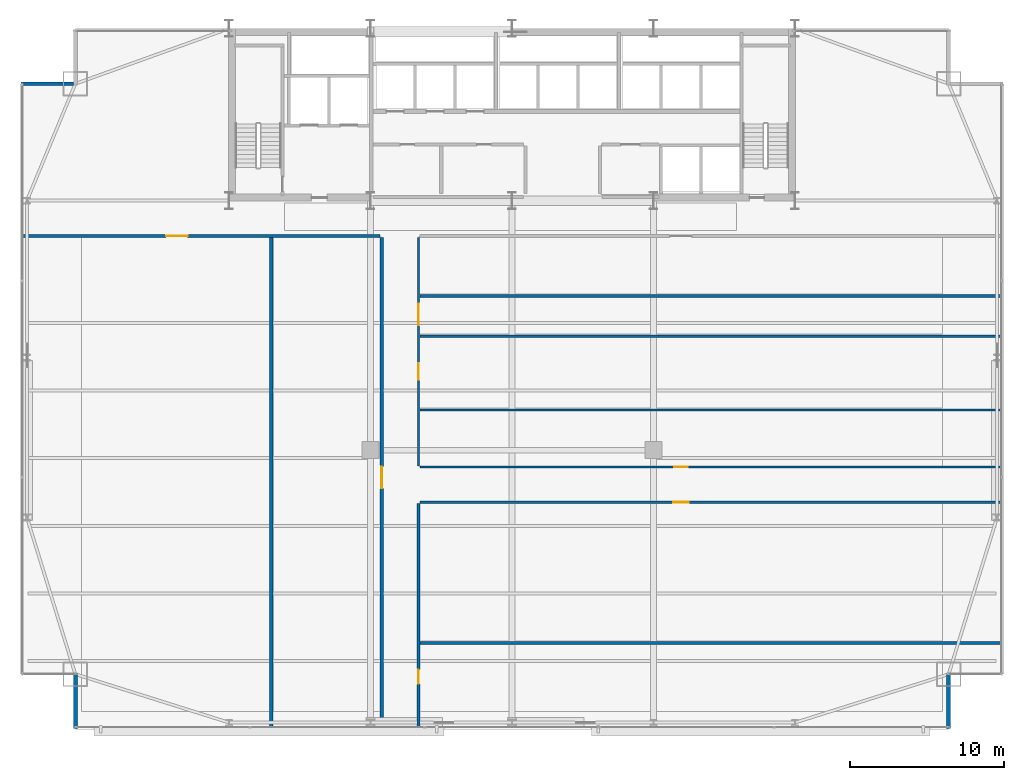
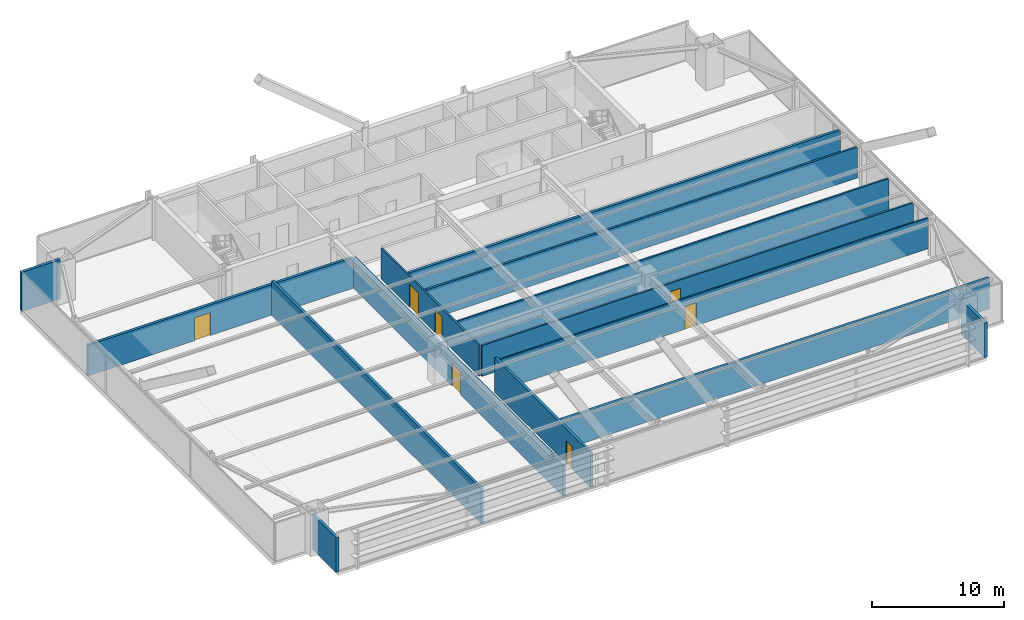
# One storey, part 31 of 35: 14 walls, 7 doors, 7 openings.
"""IFC4 building model written with IfcOpenShell, lengths in metres."""

import ifcopenshell
import ifcopenshell.guid

model = None  # the IFC model being written
_history = None  # IfcOwnerHistory: only IFC2X3 demands one
_inside = {}  # id of a spatial element -> (the spatial element, [elements in it])
_under = {}  # id of a project, library or spatial element -> (it, [spatial elements below it])
_declared = {}  # id of a project -> (the project, [libraries it declares])
_typed = {}  # id of a type object -> (the type object, [elements of that type])
_made_of = {}  # id of a material, layer set ... -> (it, [elements and type objects made of it])


def new_model(schema):
    """Start an empty IFC model of exactly this schema.

    Asked for "IFC4X3", IfcOpenShell would pick the latest addendum, in which some entities
    have other attributes; the version numbers below select the first issue.
    IFC2X3 requires an IfcOwnerHistory on every rooted entity: one is made here for all.
    """
    global model, _history
    if schema == "IFC4X3":
        model = ifcopenshell.file(schema_version=(4, 3, 0, 0))
    else:
        model = ifcopenshell.file(schema=schema)
    _inside.clear()
    _under.clear()
    _declared.clear()
    _typed.clear()
    _made_of.clear()
    _history = None
    if model.schema == "IFC2X3":
        org = make("IfcOrganization", Name="unknown")
        user = make(
            "IfcPersonAndOrganization",
            ThePerson=make("IfcPerson", FamilyName="unknown"),
            TheOrganization=org,
        )
        app = make(
            "IfcApplication",
            ApplicationDeveloper=org,
            Version="unknown",
            ApplicationFullName="unknown",
            ApplicationIdentifier="unknown",
        )
        _history = make(
            "IfcOwnerHistory",
            OwningUser=user,
            OwningApplication=app,
            ChangeAction="ADDED",
            CreationDate=0,
        )
    return model


def make(cls, **values):
    """One entity of the class cls with the attributes given. An attribute that is None is left unset."""
    return model.create_entity(
        cls, **{name: value for name, value in values.items() if value is not None}
    )


def rooted(cls, **values):
    """An entity with a GlobalId (a new one), such as an element, a storey or a relation."""
    return make(cls, GlobalId=ifcopenshell.guid.new(), OwnerHistory=_history, **values)


def si_unit(unit_type, name, prefix=None):
    """IfcSIUnit, for example si_unit("LENGTHUNIT", "METRE", prefix="MILLI")."""
    return make("IfcSIUnit", UnitType=unit_type, Prefix=prefix, Name=name)


def assignment(units):
    """IfcUnitAssignment: the units of a project."""
    return None if units is None else make("IfcUnitAssignment", Units=units)


def point(xyz):
    """IfcCartesianPoint."""
    return None if xyz is None else make("IfcCartesianPoint", Coordinates=xyz)


def direction(xyz):
    """IfcDirection."""
    return None if xyz is None else make("IfcDirection", DirectionRatios=xyz)


def frame(location, z_axis=None, x_axis=None):
    """IfcAxis2Placement3D, a coordinate frame: its origin and axes. An axis left out is left unset."""
    return make(
        "IfcAxis2Placement3D",
        Location=point(location),
        Axis=direction(z_axis),
        RefDirection=direction(x_axis),
    )


def frame_2d(location, x_axis=None):
    """IfcAxis2Placement2D, a coordinate frame in the plane: its origin and x axis."""
    return make(
        "IfcAxis2Placement2D", Location=point(location), RefDirection=direction(x_axis)
    )


def origin():
    """The frame at (0, 0, 0) with its axes left unset."""
    return frame((0.0, 0.0, 0.0))


def place(relative_to, where):
    """IfcLocalPlacement: puts the frame where relative to a parent placement (None: the world)."""
    return make(
        "IfcLocalPlacement", PlacementRelTo=relative_to, RelativePlacement=where
    )


def context(
    kind, dimensions, precision=None, world=None, true_north=None, identifier=None
):
    """IfcGeometricRepresentationContext, for example the 3D "Model" context."""
    return make(
        "IfcGeometricRepresentationContext",
        ContextIdentifier=identifier,
        ContextType=kind,
        CoordinateSpaceDimension=dimensions,
        Precision=precision,
        WorldCoordinateSystem=world,
        TrueNorth=true_north,
    )


def subcontext(parent, identifier, kind, view, scale=None):
    """IfcGeometricRepresentationSubContext, for example "Body" below "Model"."""
    return make(
        "IfcGeometricRepresentationSubContext",
        ContextIdentifier=identifier,
        ContextType=kind,
        ParentContext=parent,
        TargetScale=scale,
        TargetView=view,
    )


def project(units=None, contexts=None):
    """IfcProject with its units and contexts."""
    return rooted(
        "IfcProject",
        Name="project",
        RepresentationContexts=contexts,
        UnitsInContext=assignment(units),
    )


def spatial(cls, under=None, at=None, **own):
    """A site, building, storey or space (cls), placed at a placement, below another one or the project."""
    s = rooted(cls, ObjectPlacement=at, **own)
    if under is not None:
        _under.setdefault(under.id(), (under, []))[1].append(s)
    return s


def profile(cls, at=None, kind="AREA", **sizes):
    """A parametric profile (cls). Its sizes go by their IFC names, for example OverallWidth=200.0."""
    return make(cls, ProfileType=kind, Position=at, **sizes)


def rectangle(**sizes):
    """IfcRectangleProfileDef."""
    return profile("IfcRectangleProfileDef", **sizes)


def extrude(swept, where, along, depth):
    """IfcExtrudedAreaSolid: the profile swept, set in the frame where, extruded along a direction by depth."""
    return make(
        "IfcExtrudedAreaSolid",
        SweptArea=swept,
        Position=where,
        ExtrudedDirection=direction(along),
        Depth=depth,
    )


def shape(context_of_items, identifier, shape_type, items):
    """IfcShapeRepresentation: the items that make up one representation, for example the "Body"."""
    return make(
        "IfcShapeRepresentation",
        ContextOfItems=context_of_items,
        RepresentationIdentifier=identifier,
        RepresentationType=shape_type,
        Items=items,
    )


def source(mapping_origin, context_of_items, identifier, shape_type, items):
    """IfcRepresentationMap: a shape defined once, which mapped items show again and again."""
    return make(
        "IfcRepresentationMap",
        MappingOrigin=mapping_origin,
        MappedRepresentation=shape(context_of_items, identifier, shape_type, items),
    )


def transform(
    local_origin,
    x_axis=None,
    y_axis=None,
    z_axis=None,
    scale=None,
    scale2=None,
    scale3=None,
    uniform=True,
):
    """IfcCartesianTransformationOperator3D, or its non-uniform kind. x_axis, y_axis, z_axis: its Axis1, 2, 3."""
    if uniform:
        return make(
            "IfcCartesianTransformationOperator3D",
            Axis1=direction(x_axis),
            Axis2=direction(y_axis),
            LocalOrigin=point(local_origin),
            Scale=scale,
            Axis3=direction(z_axis),
        )
    return make(
        "IfcCartesianTransformationOperator3DnonUniform",
        Axis1=direction(x_axis),
        Axis2=direction(y_axis),
        LocalOrigin=point(local_origin),
        Scale=scale,
        Axis3=direction(z_axis),
        Scale2=scale2,
        Scale3=scale3,
    )


def mapped(mapping_source, mapping_target):
    """IfcMappedItem: shows the shape of a source again, moved by a transform."""
    return make(
        "IfcMappedItem", MappingSource=mapping_source, MappingTarget=mapping_target
    )


def material(Name=None, Category=None):
    """IfcMaterial."""
    return make("IfcMaterial", Name=Name, Category=Category)


def layer(
    of_material, thickness, ventilated=None, Name=None, Category=None, Priority=None
):
    """IfcMaterialLayer: one layer of a wall or slab, of a material (None: an air gap)."""
    return make(
        "IfcMaterialLayer",
        Material=of_material,
        LayerThickness=thickness,
        IsVentilated=ventilated,
        Name=Name,
        Category=Category,
        Priority=Priority,
    )


def layer_set(layers, Name=None):
    """IfcMaterialLayerSet."""
    return make("IfcMaterialLayerSet", MaterialLayers=layers, LayerSetName=Name)


def made_of(thing, what):
    """Note that an element or type object is made of a material, layer set ...; save() writes the relation."""
    if what is not None:
        _made_of.setdefault(what.id(), (what, []))[1].append(thing)
    return thing


def type_object(cls, material=None, **own):
    """A type object (cls), such as IfcWallType, which elements share."""
    return made_of(rooted(cls, **own), material)


def type_shapes(of_type, sources):
    """Give a type object the sources (RepresentationMaps) that its elements show as mapped items."""
    of_type.RepresentationMaps = sources


def element(
    cls,
    number,
    at=None,
    inside=None,
    cuts=None,
    type_object=None,
    material=None,
    context=None,
    identifier="Body",
    shape_type=None,
    held_by="IfcProductDefinitionShape",
    body=None,
    shapes=None,
    **own,
):
    """One element of the class cls, such as IfcWall. Its Tag is "e" and its number.

    at: its placement. inside: the storey or other place that contains it. cuts: it is an
    opening in that element (IfcRelVoidsElement). A single representation is given by context,
    identifier, shape_type and body (its items); several are given by shapes. held_by: the class
    of the entity that holds the representations. save() writes the other relations.
    """
    e = rooted(cls, Tag="e%d" % number, ObjectPlacement=at, **own)
    if body is not None:
        shapes = [shape(context, identifier, shape_type, body)]
    if shapes is not None:
        e.Representation = make(held_by, Representations=shapes)
    if inside is not None:
        _inside.setdefault(inside.id(), (inside, []))[1].append(e)
    if cuts is not None:
        rooted(
            "IfcRelVoidsElement", RelatingBuildingElement=cuts, RelatedOpeningElement=e
        )
    if type_object is not None:
        _typed.setdefault(type_object.id(), (type_object, []))[1].append(e)
    return made_of(e, material)


def fill(opening, filler):
    """IfcRelFillsElement: the door or window that sits in an opening."""
    return rooted(
        "IfcRelFillsElement",
        RelatingOpeningElement=opening,
        RelatedBuildingElement=filler,
    )


def aggregate(whole, parts):
    """IfcRelAggregates: a whole, such as a stair, and the parts it consists of."""
    return rooted("IfcRelAggregates", RelatingObject=whole, RelatedObjects=parts)


def save(model, path):
    """Write the relations noted so far, then the file.

    IfcRelAggregates (storeys below a building ...), IfcRelContainedInSpatialStructure (elements
    in a storey), IfcRelDefinesByType, IfcRelAssociatesMaterial and IfcRelDeclares: one each for
    every whole, place, type object, material and project.
    """
    for whole, parts in _under.values():
        aggregate(whole, parts)
    for where, things in _inside.values():
        rooted(
            "IfcRelContainedInSpatialStructure",
            RelatedElements=things,
            RelatingStructure=where,
        )
    for kind, things in _typed.values():
        rooted("IfcRelDefinesByType", RelatedObjects=things, RelatingType=kind)
    for what, things in _made_of.values():
        rooted("IfcRelAssociatesMaterial", RelatedObjects=things, RelatingMaterial=what)
    for by, libraries in _declared.values():
        rooted("IfcRelDeclares", RelatingContext=by, RelatedDefinitions=libraries)
    model.write(path)


model = new_model("IFC4")

# Units and contexts
model_context = context("Model", 3, precision=1e-05, world=origin(), true_north=direction((0.0, 1.0)))
body_context = subcontext(model_context, "Body", "Model", "MODEL_VIEW")
ifc_project = project(units=[si_unit("LENGTHUNIT", "METRE"), si_unit("AREAUNIT", "SQUARE_METRE"), si_unit("VOLUMEUNIT", "CUBIC_METRE"), si_unit("PLANEANGLEUNIT", "RADIAN"), si_unit("MASSUNIT", "GRAM", prefix="KILO")], contexts=[model_context])

# Site, building, storey
site_placement = place(None, origin())
site = spatial("IfcSite", under=ifc_project, at=site_placement, CompositionType="ELEMENT")
building_placement = place(site_placement, origin())
building = spatial("IfcBuilding", under=site, at=building_placement, Name="Varnel Quay Broadcast Tower", CompositionType="ELEMENT")
storey_placement = place(building_placement, frame((0.0, 0.0, 31.5)))
storey = spatial("IfcBuildingStorey", under=building, at=storey_placement, Name="L06", CompositionType="ELEMENT", Elevation=31.5)

# Walls
ifc_material_1 = material(Name="Precast Architectural Concrete C40/50", Category="concrete")
ifc_layer_1 = layer(ifc_material_1, 0.25, Name="Precast Architectural Concrete C40/50")
ifc_layer_set_1 = layer_set([ifc_layer_1], Name="Precast Architectural Concrete C40/50")
wall_type_1 = type_object("IfcWallType", Name="Wall_ExtTerrace250", PredefinedType="SOLIDWALL", material=ifc_layer_set_1)
for number, where, z_axis, x_axis, name in (
    (1, (5.60009765625, 1.280029296875, 0.0), (0.0, 0.0, 1.0), (0.0, 1.0, 0.0), "L06 Mega-Column Notch Cladding Wall NSW2"),
    (2, (62.39990234375, 1.280029296875, 0.0), (0.0, 0.0, 1.0), (0.0, 1.0, 0.0), "L06 Mega-Column Notch Cladding Wall NSE2"),
):
    element("IfcWall", number, at=place(storey_placement, frame(where, z_axis=z_axis, x_axis=x_axis)), inside=storey, type_object=wall_type_1, Name=name, PredefinedType="SOLIDWALL", context=body_context, shape_type="SweptSolid", body=[
        extrude(rectangle(XDim=3.599853515625, YDim=0.25, at=frame_2d((1.7998046875, 0.0))), origin(), (0.0, 0.0, 1.0), 3.2080078125),
    ])
wall_1_placement = place(storey_placement, frame((2.080078125, 43.199951171875, 0.0), z_axis=(0.0, 0.0, 1.0), x_axis=(1.0, 0.0, 0.0)))
element("IfcWall", 3, at=wall_1_placement, inside=storey, type_object=wall_type_1, Name="L06 Mega-Column Notch Cladding Wall NNW1", PredefinedType="SOLIDWALL", context=body_context, shape_type="SweptSolid", body=[
    extrude(rectangle(XDim=3.389892578125, YDim=0.25, at=frame_2d((1.69482421875, 0.0))), origin(), (0.0, 0.0, 1.0), 3.6298828125),
])

# Wall, opening, door
ifc_material_2 = material(Name="Steel-Stud Fire-Rated Acoustic Gypsum Partition Assembly", Category="steel")
ifc_layer_2 = layer(ifc_material_2, 0.139892578125, Name="Steel-Stud Fire-Rated Acoustic Gypsum Partition Assembly")
ifc_layer_set_2 = layer_set([ifc_layer_2], Name="Steel-Stud Fire-Rated Acoustic Gypsum Partition Assembly")
wall_type_2 = type_object("IfcWallType", Name="Wall_Partition140", PredefinedType="PARTITIONING", material=ifc_layer_set_2)
wall_2_placement = place(storey_placement, frame((28.02001953125, 15.97998046875, 0.0), z_axis=(0.0, 0.0, 1.0), x_axis=(1.0, 0.0, 0.0)))
wall_2 = element("IfcWall", 4, at=wall_2_placement, inside=storey, type_object=wall_type_2, Name="L06 Talent Lounge 4 Partition 13", PredefinedType="PARTITIONING", context=body_context, shape_type="SweptSolid", body=[
    extrude(rectangle(XDim=37.800048828125, YDim=0.139892578125, at=frame_2d((18.89990234375, 0.0))), origin(), (0.0, 0.0, 1.0), 2.85205078125),
])
opening_1_placement = place(wall_2_placement, frame((16.465087890625, 0.0, 0.0)))
opening_1 = element("IfcOpeningElement", 5, at=opening_1_placement, cuts=wall_2, Name="Opening D-L06-07", PredefinedType="OPENING", context=body_context, shape_type="SweptSolid", body=[
    extrude(rectangle(XDim=1.0, YDim=2.10009765625, at=frame_2d((0.5, 1.050048828125))), frame((0.0, 0.080078125, 0.0), z_axis=(0.0, -1.0, 0.0), x_axis=(1.0, 0.0, 0.0)), (0.0, 0.0, 1.0), 0.159912109375),
])
ifc_material_3 = material(Name="Solid-Core Fire-Rated Acoustic Oak Veneer Door", Category="wood")
door_type_1 = type_object("IfcDoorType", Name="Door_Exec1000", OperationType="NOTDEFINED", PredefinedType="DOOR", material=ifc_material_3)
shared_shape_1 = source(origin(), body_context, "Body", "SweptSolid", [
    extrude(rectangle(XDim=1.0, YDim=2.10009765625, at=frame_2d((0.5, 1.050048828125))), frame((0.0, 0.02490234375, 0.0), z_axis=(0.0, -1.0, 0.0), x_axis=(1.0, 0.0, 0.0)), (0.0, 0.0, 1.0), 0.050048828125),
])
type_shapes(door_type_1, [shared_shape_1])
door_1_placement = place(opening_1_placement, frame((1.0, 0.0, 0.0), z_axis=(0.0, 0.0, 1.0), x_axis=(-1.0, 0.0, 0.0)))
door_1 = element("IfcDoor", 6, at=door_1_placement, inside=storey, type_object=door_type_1, Name="L06 Talent Lounge 4 Door D-L06-07", OperationType="SINGLE_SWING_LEFT", OverallHeight=2.10009765625, OverallWidth=1.0, PredefinedType="DOOR", context=body_context, shape_type="MappedRepresentation", body=[
    mapped(shared_shape_1, transform((0.0, 0.0, 0.0), x_axis=(1.0, 0.0, 0.0), y_axis=(0.0, 1.0, 0.0), z_axis=(0.0, 0.0, 1.0), scale=1.0)),
])
fill(opening_1, door_1)

ifc_layer_3 = layer(ifc_material_2, 0.14990234375, Name="Steel-Stud Fire-Rated Acoustic Gypsum Partition Assembly")
ifc_layer_set_3 = layer_set([ifc_layer_3], Name="Steel-Stud Fire-Rated Acoustic Gypsum Partition Assembly")
wall_type_3 = type_object("IfcWallType", Name="Wall_Partition150", PredefinedType="PARTITIONING", material=ifc_layer_set_3)
wall_3_placement = place(storey_placement, frame((28.02001953125, 18.280029296875, 0.0), z_axis=(0.0, 0.0, 1.0), x_axis=(1.0, 0.0, 0.0)))
wall_3 = element("IfcWall", 7, at=wall_3_placement, inside=storey, type_object=wall_type_3, Name="L06 Pantry Niche 5 Partition 14", PredefinedType="PARTITIONING", context=body_context, shape_type="SweptSolid", body=[
    extrude(rectangle(XDim=37.800048828125, YDim=0.14990234375, at=frame_2d((18.89990234375, 0.0))), origin(), (0.0, 0.0, 1.0), 2.85205078125),
])
opening_2_placement = place(wall_3_placement, frame((16.52490234375, 0.0, 0.0)))
opening_2 = element("IfcOpeningElement", 8, at=opening_2_placement, cuts=wall_3, Name="Opening D-L06-08", PredefinedType="OPENING", context=body_context, shape_type="SweptSolid", body=[
    extrude(rectangle(XDim=0.8798828125, YDim=2.06005859375, at=frame_2d((0.43994140625, 1.030029296875))), frame((0.0, 0.0849609375, 0.0), z_axis=(0.0, -1.0, 0.0), x_axis=(1.0, 0.0, 0.0)), (0.0, 0.0, 1.0), 0.169921875),
])
door_type_2 = type_object("IfcDoorType", Name="Door_Booth880", OperationType="NOTDEFINED", PredefinedType="DOOR", material=ifc_material_3)
shared_shape_2 = source(origin(), body_context, "Body", "SweptSolid", [
    extrude(rectangle(XDim=0.8798828125, YDim=2.06005859375, at=frame_2d((0.43994140625, 1.030029296875))), frame((0.0, 0.02490234375, 0.0), z_axis=(0.0, -1.0, 0.0), x_axis=(1.0, 0.0, 0.0)), (0.0, 0.0, 1.0), 0.050048828125),
])
type_shapes(door_type_2, [shared_shape_2])
door_2_placement = place(opening_2_placement, origin())
door_2 = element("IfcDoor", 9, at=door_2_placement, inside=storey, type_object=door_type_2, Name="L06 Pantry Niche 5 Door D-L06-08", OperationType="SINGLE_SWING_RIGHT", OverallHeight=2.06005859375, OverallWidth=0.8798828125, PredefinedType="DOOR", context=body_context, shape_type="MappedRepresentation", body=[
    mapped(shared_shape_2, transform((0.0, 0.0, 0.0), x_axis=(1.0, 0.0, 0.0), y_axis=(0.0, 1.0, 0.0), z_axis=(0.0, 0.0, 1.0), scale=1.0)),
])
fill(opening_2, door_2)

# Wall
wall_4_placement = place(storey_placement, frame((28.02001953125, 21.989990234375, 0.0), z_axis=(0.0, 0.0, 1.0), x_axis=(1.0, 0.0, 0.0)))
element("IfcWall", 10, at=wall_4_placement, inside=storey, type_object=wall_type_3, Name="L06 Pantry Niche 5 Partition 15", PredefinedType="PARTITIONING", context=body_context, shape_type="SweptSolid", body=[
    extrude(rectangle(XDim=37.800048828125, YDim=0.14990234375, at=frame_2d((18.89990234375, 0.0))), origin(), (0.0, 0.0, 1.0), 2.85205078125),
])

# Wall, openings, doors
wall_5_placement = place(storey_placement, frame((27.919921875, 18.35498046875, 0.0), z_axis=(0.0, 0.0, 1.0), x_axis=(0.0, 1.0, 0.0)))
wall_5 = element("IfcWall", 11, at=wall_5_placement, inside=storey, type_object=wall_type_3, Name="L06 Pantry Niche 5 Partition 16", PredefinedType="PARTITIONING", context=body_context, shape_type="SweptSolid", body=[
    extrude(rectangle(XDim=14.8330078125, YDim=0.14990234375, at=frame_2d((7.41650390625, 0.0))), origin(), (0.0, 0.0, 1.0), 2.85205078125),
])
opening_3_placement = place(wall_5_placement, frame((5.610107421875, 0.0, 0.0)))
opening_3 = element("IfcOpeningElement", 12, at=opening_3_placement, cuts=wall_5, Name="Opening D-L06-09", PredefinedType="OPENING", context=body_context, shape_type="SweptSolid", body=[
    extrude(rectangle(XDim=1.050048828125, YDim=2.10009765625, at=frame_2d((0.52490234375, 1.050048828125))), frame((0.0, 0.0849609375, 0.0), z_axis=(0.0, -1.0, 0.0), x_axis=(1.0, 0.0, 0.0)), (0.0, 0.0, 1.0), 0.169921875),
])
opening_4_placement = place(wall_5_placement, frame((9.139892578125, 0.0, 0.0)))
opening_4 = element("IfcOpeningElement", 13, at=opening_4_placement, cuts=wall_5, Name="Opening D-L06-10", PredefinedType="OPENING", context=body_context, shape_type="SweptSolid", body=[
    extrude(rectangle(XDim=1.39990234375, YDim=2.1201171875, at=frame_2d((0.699951171875, 1.06005859375))), frame((0.0, 0.0849609375, 0.0), z_axis=(0.0, -1.0, 0.0), x_axis=(1.0, 0.0, 0.0)), (0.0, 0.0, 1.0), 0.169921875),
])
door_type_3 = type_object("IfcDoorType", Name="Door_Meeting1050", OperationType="NOTDEFINED", PredefinedType="DOOR", material=ifc_material_3)
shared_shape_3 = source(origin(), body_context, "Body", "SweptSolid", [
    extrude(rectangle(XDim=1.050048828125, YDim=2.10009765625, at=frame_2d((0.52490234375, 1.050048828125))), frame((0.0, 0.02490234375, 0.0), z_axis=(0.0, -1.0, 0.0), x_axis=(1.0, 0.0, 0.0)), (0.0, 0.0, 1.0), 0.050048828125),
])
type_shapes(door_type_3, [shared_shape_3])
door_3_placement = place(opening_3_placement, frame((1.050048828125, 0.0, 0.0), z_axis=(0.0, 0.0, 1.0), x_axis=(-1.0, 0.0, 0.0)))
door_3 = element("IfcDoor", 14, at=door_3_placement, inside=storey, type_object=door_type_3, Name="L06 Broadcast Seminar Room 6 Door D-L06-09", OperationType="SINGLE_SWING_LEFT", OverallHeight=2.10009765625, OverallWidth=1.050048828125, PredefinedType="DOOR", context=body_context, shape_type="MappedRepresentation", body=[
    mapped(shared_shape_3, transform((0.0, 0.0, 0.0), x_axis=(1.0, 0.0, 0.0), y_axis=(0.0, 1.0, 0.0), z_axis=(0.0, 0.0, 1.0), scale=1.0)),
])
fill(opening_3, door_3)
door_type_4 = type_object("IfcDoorType", Name="Door_Gallery1400", OperationType="DOUBLE_DOOR_SINGLE_SWING", PredefinedType="DOOR", material=ifc_material_3)
shared_shape_4 = source(origin(), body_context, "Body", "SweptSolid", [
    extrude(rectangle(XDim=1.39990234375, YDim=2.1201171875, at=frame_2d((0.699951171875, 1.06005859375))), frame((0.0, 0.02490234375, 0.0), z_axis=(0.0, -1.0, 0.0), x_axis=(1.0, 0.0, 0.0)), (0.0, 0.0, 1.0), 0.050048828125),
])
type_shapes(door_type_4, [shared_shape_4])
door_4_placement = place(opening_4_placement, frame((1.39990234375, 0.0, 0.0), z_axis=(0.0, 0.0, 1.0), x_axis=(-1.0, 0.0, 0.0)))
door_4 = element("IfcDoor", 15, at=door_4_placement, inside=storey, type_object=door_type_4, Name="L06 Podcast Recording Studio 7 Door D-L06-10", OperationType="DOUBLE_DOOR_SINGLE_SWING", OverallHeight=2.1201171875, OverallWidth=1.39990234375, PredefinedType="DOOR", context=body_context, shape_type="MappedRepresentation", body=[
    mapped(shared_shape_4, transform((0.0, 0.0, 0.0), x_axis=(1.0, 0.0, 0.0), y_axis=(0.0, 1.0, 0.0), z_axis=(0.0, 0.0, 1.0), scale=1.0)),
])
fill(opening_4, door_4)

# Walls
ifc_layer_4 = layer(ifc_material_2, 0.175048828125, Name="Steel-Stud Fire-Rated Acoustic Gypsum Partition Assembly")
ifc_layer_set_4 = layer_set([ifc_layer_4], Name="Steel-Stud Fire-Rated Acoustic Gypsum Partition Assembly")
wall_type_4 = type_object("IfcWallType", Name="Wall_Partition175", PredefinedType="PARTITIONING", material=ifc_layer_set_4)
wall_6_placement = place(storey_placement, frame((28.02001953125, 26.7900390625, 0.0), z_axis=(0.0, 0.0, 1.0), x_axis=(1.0, 0.0, 0.0)))
element("IfcWall", 16, at=wall_6_placement, inside=storey, type_object=wall_type_4, Name="L06 Broadcast Seminar Room 6 Partition 17", PredefinedType="PARTITIONING", context=body_context, shape_type="SweptSolid", body=[
    extrude(rectangle(XDim=37.800048828125, YDim=0.175048828125, at=frame_2d((18.89990234375, 0.0))), origin(), (0.0, 0.0, 1.0), 2.85205078125),
])
ifc_layer_5 = layer(ifc_material_2, 0.22509765625, Name="Steel-Stud Fire-Rated Acoustic Gypsum Partition Assembly")
ifc_layer_set_5 = layer_set([ifc_layer_5], Name="Steel-Stud Fire-Rated Acoustic Gypsum Partition Assembly")
wall_type_5 = type_object("IfcWallType", Name="Wall_Partition225", PredefinedType="PARTITIONING", material=ifc_layer_set_5)
wall_7_placement = place(storey_placement, frame((18.35009765625, 1.3798828125, 0.0), z_axis=(0.0, 0.0, 1.0), x_axis=(0.0, 1.0, 0.0)))
element("IfcWall", 17, at=wall_7_placement, inside=storey, type_object=wall_type_5, Name="L06 Foley Sound Studio 1 Partition 8", PredefinedType="PARTITIONING", context=body_context, shape_type="SweptSolid", body=[
    extrude(rectangle(XDim=31.80810546875, YDim=0.22509765625, at=frame_2d((15.904052734375, 0.0))), origin(), (0.0, 0.0, 1.0), 3.2080078125),
])

# Wall, opening, door
wall_8_placement = place(storey_placement, frame((2.179931640625, 33.300048828125, 0.0), z_axis=(0.0, 0.0, 1.0), x_axis=(1.0, 0.0, 0.0)))
wall_8 = element("IfcWall", 18, at=wall_8_placement, inside=storey, type_object=wall_type_5, Name="L06 Foley Sound Studio 1 Partition 9", PredefinedType="PARTITIONING", context=body_context, shape_type="SweptSolid", body=[
    extrude(rectangle(XDim=23.239990234375, YDim=0.22509765625, at=frame_2d((11.6201171875, 0.0))), origin(), (0.0, 0.0, 1.0), 2.85205078125),
])
opening_5_placement = place(wall_8_placement, frame((9.320068359375, 0.0, 0.0)))
opening_5 = element("IfcOpeningElement", 19, at=opening_5_placement, cuts=wall_8, Name="Opening D-L06-04", PredefinedType="OPENING", context=body_context, shape_type="SweptSolid", body=[
    extrude(rectangle(XDim=1.39990234375, YDim=2.1201171875, at=frame_2d((0.699951171875, 1.06005859375))), frame((0.0, 0.12255859375, 0.0), z_axis=(0.0, -1.0, 0.0), x_axis=(1.0, 0.0, 0.0)), (0.0, 0.0, 1.0), 0.2451171875),
])
door_5_placement = place(opening_5_placement, frame((1.39990234375, 0.0, 0.0), z_axis=(0.0, 0.0, 1.0), x_axis=(-1.0, 0.0, 0.0)))
door_5 = element("IfcDoor", 20, at=door_5_placement, inside=storey, type_object=door_type_4, Name="L06 Foley Sound Studio 1 Door D-L06-04", OperationType="DOUBLE_DOOR_SINGLE_SWING", OverallHeight=2.1201171875, OverallWidth=1.39990234375, PredefinedType="DOOR", context=body_context, shape_type="MappedRepresentation", body=[
    mapped(shared_shape_4, transform((0.0, 0.0, 0.0), x_axis=(1.0, 0.0, 0.0), y_axis=(0.0, 1.0, 0.0), z_axis=(0.0, 0.0, 1.0), scale=1.0)),
])
fill(opening_5, door_5)

wall_9_placement = place(storey_placement, frame((25.52001953125, 1.3798828125, 0.0), z_axis=(0.0, 0.0, 1.0), x_axis=(0.0, 1.0, 0.0)))
wall_9 = element("IfcWall", 21, at=wall_9_placement, inside=storey, type_object=wall_type_5, Name="L06 Voice Booth 2 Partition 10", PredefinedType="PARTITIONING", context=body_context, shape_type="SweptSolid", body=[
    extrude(rectangle(XDim=31.80810546875, YDim=0.22509765625, at=frame_2d((15.904052734375, 0.0))), origin(), (0.0, 0.0, 1.0), 2.85205078125),
])
opening_6_placement = place(wall_9_placement, frame((15.513916015625, 0.0, 0.0)))
opening_6 = element("IfcOpeningElement", 22, at=opening_6_placement, cuts=wall_9, Name="Opening D-L06-05", PredefinedType="OPENING", context=body_context, shape_type="SweptSolid", body=[
    extrude(rectangle(XDim=1.39990234375, YDim=2.1201171875, at=frame_2d((0.699951171875, 1.06005859375))), frame((0.0, 0.12255859375, 0.0), z_axis=(0.0, -1.0, 0.0), x_axis=(1.0, 0.0, 0.0)), (0.0, 0.0, 1.0), 0.2451171875),
])
door_6_placement = place(opening_6_placement, origin())
door_6 = element("IfcDoor", 23, at=door_6_placement, inside=storey, type_object=door_type_4, Name="L06 Voice Booth 2 Door D-L06-05", OperationType="DOUBLE_DOOR_SINGLE_SWING", OverallHeight=2.1201171875, OverallWidth=1.39990234375, PredefinedType="DOOR", context=body_context, shape_type="MappedRepresentation", body=[
    mapped(shared_shape_4, transform((0.0, 0.0, 0.0), x_axis=(1.0, 0.0, 0.0), y_axis=(0.0, 1.0, 0.0), z_axis=(0.0, 0.0, 1.0), scale=1.0)),
])
fill(opening_6, door_6)

# Wall
wall_10_placement = place(storey_placement, frame((28.02001953125, 6.830078125, 0.0), z_axis=(0.0, 0.0, 1.0), x_axis=(1.0, 0.0, 0.0)))
element("IfcWall", 24, at=wall_10_placement, inside=storey, type_object=wall_type_5, Name="L06 Audio Control Room 3 Partition 11", PredefinedType="PARTITIONING", context=body_context, shape_type="SweptSolid", body=[
    extrude(rectangle(XDim=37.800048828125, YDim=0.22509765625, at=frame_2d((18.89990234375, 0.0))), origin(), (0.0, 0.0, 1.0), 2.85205078125),
])

# Wall, opening, door
wall_11_placement = place(storey_placement, frame((27.919921875, 1.3798828125, 0.0), z_axis=(0.0, 0.0, 1.0), x_axis=(0.0, 1.0, 0.0)))
wall_11 = element("IfcWall", 25, at=wall_11_placement, inside=storey, type_object=wall_type_5, Name="L06 Audio Control Room 3 Partition 12", PredefinedType="PARTITIONING", context=body_context, shape_type="SweptSolid", body=[
    extrude(rectangle(XDim=14.530029296875, YDim=0.22509765625, at=frame_2d((7.26513671875, 0.0))), origin(), (0.0, 0.0, 1.0), 3.2080078125),
])
opening_7_placement = place(wall_11_placement, frame((2.794921875, 0.0, 0.0)))
opening_7 = element("IfcOpeningElement", 26, at=opening_7_placement, cuts=wall_11, Name="Opening D-L06-06", PredefinedType="OPENING", context=body_context, shape_type="SweptSolid", body=[
    extrude(rectangle(XDim=0.919921875, YDim=2.080078125, at=frame_2d((0.4599609375, 1.0400390625))), frame((0.0, 0.12255859375, 0.0), z_axis=(0.0, -1.0, 0.0), x_axis=(1.0, 0.0, 0.0)), (0.0, 0.0, 1.0), 0.2451171875),
])
door_type_5 = type_object("IfcDoorType", Name="Door_Office920", OperationType="NOTDEFINED", PredefinedType="DOOR", material=ifc_material_3)
shared_shape_5 = source(origin(), body_context, "Body", "SweptSolid", [
    extrude(rectangle(XDim=0.919921875, YDim=2.080078125, at=frame_2d((0.4599609375, 1.0400390625))), frame((0.0, 0.02490234375, 0.0), z_axis=(0.0, -1.0, 0.0), x_axis=(1.0, 0.0, 0.0)), (0.0, 0.0, 1.0), 0.050048828125),
])
type_shapes(door_type_5, [shared_shape_5])
door_7_placement = place(opening_7_placement, frame((0.919921875, 0.0, 0.0), z_axis=(0.0, 0.0, 1.0), x_axis=(-1.0, 0.0, 0.0)))
door_7 = element("IfcDoor", 27, at=door_7_placement, inside=storey, type_object=door_type_5, Name="L06 Audio Control Room 3 Door D-L06-06", OperationType="SINGLE_SWING_RIGHT", OverallHeight=2.080078125, OverallWidth=0.919921875, PredefinedType="DOOR", context=body_context, shape_type="MappedRepresentation", body=[
    mapped(shared_shape_5, transform((0.0, 0.0, 0.0), x_axis=(1.0, 0.0, 0.0), y_axis=(0.0, 1.0, 0.0), z_axis=(0.0, 0.0, 1.0), scale=1.0)),
])
fill(opening_7, door_7)

# Wall
wall_12_placement = place(storey_placement, frame((28.02001953125, 29.39990234375, 0.0), z_axis=(0.0, 0.0, 1.0), x_axis=(1.0, 0.0, 0.0)))
element("IfcWall", 28, at=wall_12_placement, inside=storey, type_object=wall_type_5, Name="L06 Podcast Recording Studio 7 Partition 18", PredefinedType="PARTITIONING", context=body_context, shape_type="SweptSolid", body=[
    extrude(rectangle(XDim=37.800048828125, YDim=0.22509765625, at=frame_2d((18.89990234375, 0.0))), origin(), (0.0, 0.0, 1.0), 2.85205078125),
])

save(model, "model.ifc")
